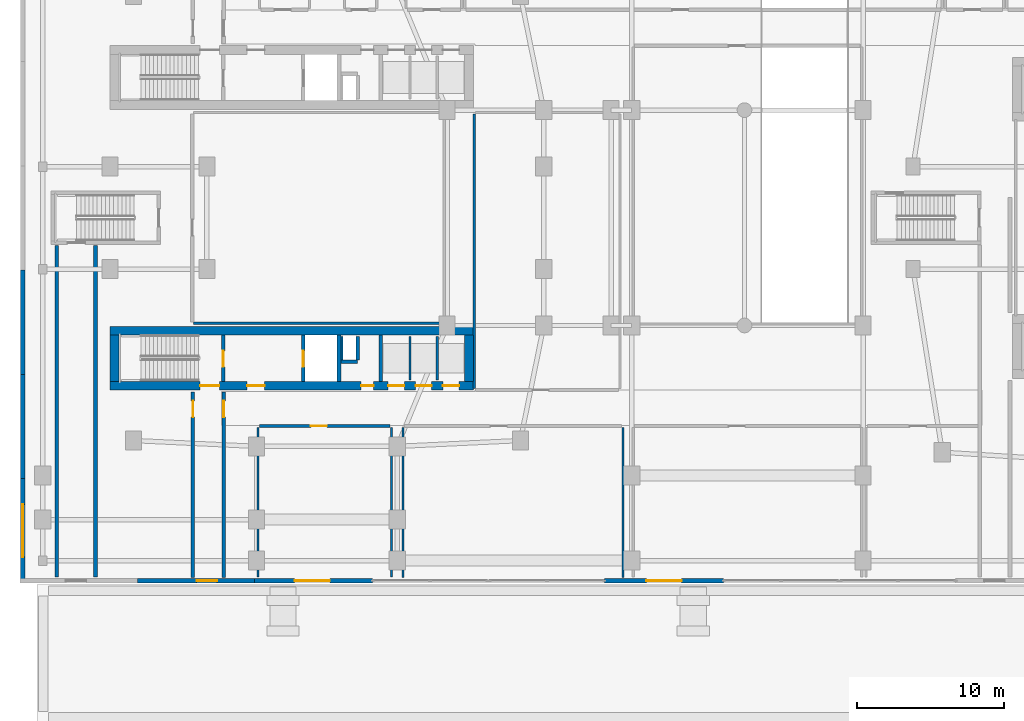
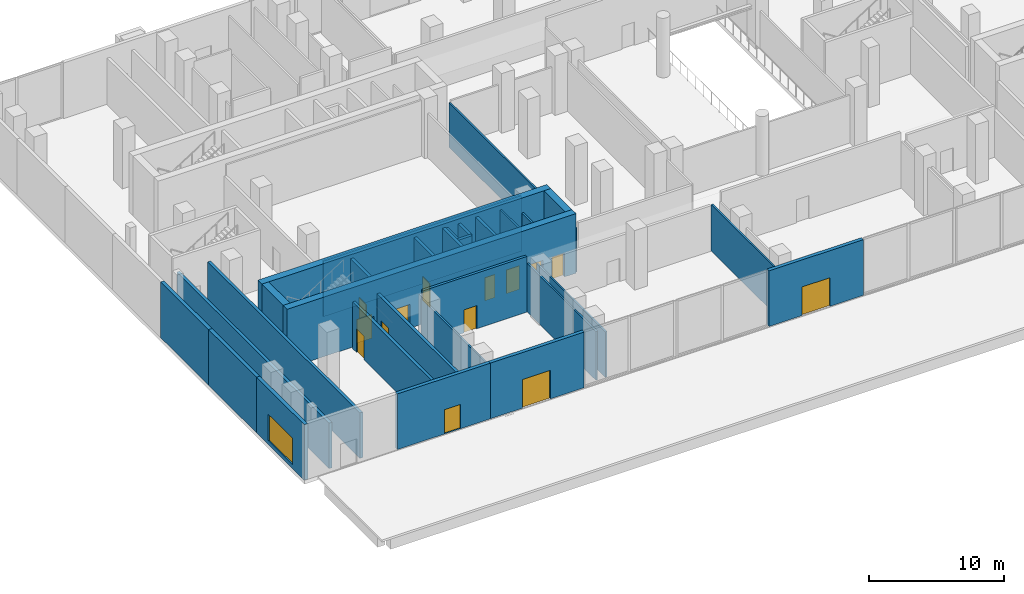
# One storey, part 12 of 24: 30 walls, 14 doors, 1 window, 15 openings.
"""IFC4 building model written with IfcOpenShell, lengths in metres."""

from ifc_helpers import new_model, si_unit, derived_unit, direction, frame, frame_2d, origin, place, context, subcontext, project, spatial, rectangle, extrude, material, layer, layer_set, type_object, element, fill, save


model = new_model("IFC4")

# Units and contexts
model_context = context("Model", 3, precision=1e-05, world=origin(), true_north=direction((0.0, 1.0)))
body_context = subcontext(model_context, "Body", "Model", "MODEL_VIEW")
ifc_project = project(units=[si_unit("LENGTHUNIT", "METRE"), si_unit("AREAUNIT", "SQUARE_METRE"), si_unit("VOLUMEUNIT", "CUBIC_METRE"), si_unit("PLANEANGLEUNIT", "RADIAN"), si_unit("MASSUNIT", "GRAM", prefix="KILO"), derived_unit("THERMALTRANSMITTANCEUNIT", [(si_unit("POWERUNIT", "WATT"), 1), (si_unit("LENGTHUNIT", "METRE"), -2), (si_unit("THERMODYNAMICTEMPERATUREUNIT", "KELVIN"), -1)])], contexts=[model_context])

# Site, building, storey
site_placement = place(None, origin())
site = spatial("IfcSite", under=ifc_project, at=site_placement, CompositionType="ELEMENT")
building_placement = place(site_placement, origin())
building = spatial("IfcBuilding", under=site, at=building_placement, Name="Kivonza Crest Hotel", CompositionType="ELEMENT")
storey_placement = place(building_placement, origin())
storey = spatial("IfcBuildingStorey", under=building, at=storey_placement, Name="L00", CompositionType="ELEMENT", Elevation=0.0)

# Wall, opening, door
ifc_material_1 = material(Name="Autoclaved aerated concrete blockwork", Category="masonry")
ifc_layer_1 = layer(ifc_material_1, 0.219970703125)
ifc_layer_set_1 = layer_set([ifc_layer_1], Name="Autoclaved aerated concrete blockwork")
wall_type_1 = type_object("IfcWallType", Name="WL-ACOU-220", PredefinedType="SOLIDWALL", material=ifc_layer_set_1)
wall_1_placement = place(storey_placement, frame((16.39990234375, 10.800048828125, 0.0), z_axis=(0.0, 0.0, 1.0), x_axis=(1.0, 0.0, 0.0)))
wall_1 = element("IfcWall", 1, at=wall_1_placement, inside=storey, type_object=wall_type_1, Name="L00 interior partition WA-L00-HTL-VEST-N", PredefinedType="SOLIDWALL", context=body_context, shape_type="SweptSolid", body=[
    extrude(rectangle(XDim=8.900146484375, YDim=0.219970703125, at=frame_2d((4.4501953125, 0.0))), origin(), (0.0, 0.0, 1.0), 5.050048828125),
])
opening_1_placement = place(wall_1_placement, frame((3.5, 0.0, 0.0)))
opening_1 = element("IfcOpeningElement", 2, at=opening_1_placement, cuts=wall_1, Name="Opening DF-60M", PredefinedType="OPENING", context=body_context, shape_type="SweptSolid", body=[
    extrude(rectangle(XDim=1.10009765625, YDim=2.10009765625, at=frame_2d((0.550048828125, 1.050048828125))), frame((0.0, 0.1201171875, 0.0), z_axis=(0.0, -1.0, 0.0), x_axis=(1.0, 0.0, 0.0)), (0.0, 0.0, 1.0), 0.239990234375),
])
ifc_material_2 = material(Name="Hardwood timber oak", Category="wood")
door_type_1 = type_object("IfcDoorType", Name="DR-FD60-1100", OperationType="NOTDEFINED", PredefinedType="DOOR", material=ifc_material_2)
door_1_placement = place(opening_1_placement, frame((1.10009765625, 0.0, 0.0), z_axis=(0.0, 0.0, 1.0), x_axis=(-1.0, 0.0, 0.0)))
door_1 = element("IfcDoor", 3, at=door_1_placement, inside=storey, type_object=door_type_1, Name="L00 Hotel South Street Entrance Foyer door", OperationType="SINGLE_SWING_LEFT", OverallHeight=2.10009765625, OverallWidth=1.10009765625, PredefinedType="DOOR", context=body_context, shape_type="SweptSolid", body=[
    extrude(rectangle(XDim=1.10009765625, YDim=2.10009765625, at=frame_2d((0.550048828125, 1.050048828125))), frame((0.0, 0.02490234375, 0.0), z_axis=(0.0, -1.0, 0.0), x_axis=(1.0, 0.0, 0.0)), (0.0, 0.0, 1.0), 0.050048828125),
])
fill(opening_1, door_1)

# Wall, openings, doors
ifc_material_3 = material(Name="Concrete C60/75", Category="concrete")
ifc_layer_2 = layer(ifc_material_3, 0.60009765625)
ifc_layer_set_2 = layer_set([ifc_layer_2], Name="Concrete C60/75")
wall_type_2 = type_object("IfcWallType", Name="WL-CORE-600", PredefinedType="SHEAR", material=ifc_layer_set_2)
wall_2_placement = place(storey_placement, frame((6.199951171875, 13.5400390625, 0.0), z_axis=(0.0, 0.0, 1.0), x_axis=(1.0, 0.0, 0.0)))
wall_2 = element("IfcWall", 4, at=wall_2_placement, inside=storey, type_object=wall_type_2, Name="Core wall T1-S South L00", PredefinedType="SHEAR", context=body_context, shape_type="SweptSolid", body=[
    extrude(rectangle(XDim=24.800048828125, YDim=0.60009765625, at=frame_2d((12.39990234375, 0.0))), origin(), (0.0, 0.0, 1.0), 5.39990234375),
])
opening_2_placement = place(wall_2_placement, frame((9.35009765625, 0.0, 0.0)))
opening_2 = element("IfcOpeningElement", 5, at=opening_2_placement, cuts=wall_2, Name="Opening DF-60", PredefinedType="OPENING", context=body_context, shape_type="SweptSolid", body=[
    extrude(rectangle(XDim=1.199951171875, YDim=2.14990234375, at=frame_2d((0.60009765625, 1.074951171875))), frame((0.0, 0.31005859375, 0.0), z_axis=(0.0, -1.0, 0.0), x_axis=(1.0, 0.0, 0.0)), (0.0, 0.0, 1.0), 0.6201171875),
])
opening_3_placement = place(wall_2_placement, frame((6.14990234375, 0.0, 0.0)))
opening_3 = element("IfcOpeningElement", 6, at=opening_3_placement, cuts=wall_2, Name="Opening DF-120D", PredefinedType="OPENING", context=body_context, shape_type="SweptSolid", body=[
    extrude(rectangle(XDim=1.300048828125, YDim=2.14990234375, at=frame_2d((0.64990234375, 1.074951171875))), frame((0.0, 0.31005859375, 0.0), z_axis=(0.0, -1.0, 0.0), x_axis=(1.0, 0.0, 0.0)), (0.0, 0.0, 1.0), 0.6201171875),
])
opening_4_placement = place(wall_2_placement, frame((17.139892578125, 0.0, 0.0)))
opening_4 = element("IfcOpeningElement", 7, at=opening_4_placement, cuts=wall_2, Name="Opening DF-60R", PredefinedType="OPENING", context=body_context, shape_type="SweptSolid", body=[
    extrude(rectangle(XDim=0.85009765625, YDim=2.10009765625, at=frame_2d((0.425048828125, 1.050048828125))), frame((0.0, 0.31005859375, 0.0), z_axis=(0.0, -1.0, 0.0), x_axis=(1.0, 0.0, 0.0)), (0.0, 0.0, 1.0), 0.6201171875),
])
opening_5_placement = place(wall_2_placement, frame((18.98291015625, 0.0, 0.0)))
opening_5 = element("IfcOpeningElement", 8, at=opening_5_placement, cuts=wall_2, Name="Opening LD-120", PredefinedType="OPENING", context=body_context, shape_type="SweptSolid", body=[
    extrude(rectangle(XDim=1.10009765625, YDim=2.14990234375, at=frame_2d((0.550048828125, 1.074951171875))), frame((0.0, 0.31005859375, 0.0), z_axis=(0.0, -1.0, 0.0), x_axis=(1.0, 0.0, 0.0)), (0.0, 0.0, 1.0), 0.6201171875),
])
opening_6_placement = place(wall_2_placement, frame((20.85009765625, 0.0, 0.0)))
opening_6 = element("IfcOpeningElement", 9, at=opening_6_placement, cuts=wall_2, Name="Opening LD-120", PredefinedType="OPENING", context=body_context, shape_type="SweptSolid", body=[
    extrude(rectangle(XDim=1.10009765625, YDim=2.14990234375, at=frame_2d((0.550048828125, 1.074951171875))), frame((0.0, 0.31005859375, 0.0), z_axis=(0.0, -1.0, 0.0), x_axis=(1.0, 0.0, 0.0)), (0.0, 0.0, 1.0), 0.6201171875),
])
opening_7_placement = place(wall_2_placement, frame((22.716064453125, 0.0, 0.0)))
opening_7 = element("IfcOpeningElement", 10, at=opening_7_placement, cuts=wall_2, Name="Opening LD-120", PredefinedType="OPENING", context=body_context, shape_type="SweptSolid", body=[
    extrude(rectangle(XDim=1.10009765625, YDim=2.14990234375, at=frame_2d((0.550048828125, 1.074951171875))), frame((0.0, 0.31005859375, 0.0), z_axis=(0.0, -1.0, 0.0), x_axis=(1.0, 0.0, 0.0)), (0.0, 0.0, 1.0), 0.6201171875),
])
ifc_material_4 = material(Name="Galvanised steel", Category="steel")
door_type_2 = type_object("IfcDoorType", Name="DR-FD120-1300", OperationType="NOTDEFINED", PredefinedType="DOOR", material=ifc_material_4)
door_2_placement = place(opening_3_placement, frame((1.300048828125, 0.0, 0.0), z_axis=(0.0, 0.0, 1.0), x_axis=(-1.0, 0.0, 0.0)))
door_2 = element("IfcDoor", 11, at=door_2_placement, inside=storey, type_object=door_type_2, Name="L00 T1-S stair exit discharge fire door", OperationType="DOUBLE_DOOR_SINGLE_SWING", OverallHeight=2.14990234375, OverallWidth=1.300048828125, PredefinedType="DOOR", context=body_context, shape_type="SweptSolid", body=[
    extrude(rectangle(XDim=1.300048828125, YDim=2.14990234375, at=frame_2d((0.64990234375, 1.074951171875))), frame((0.0, 0.02490234375, 0.0), z_axis=(0.0, -1.0, 0.0), x_axis=(1.0, 0.0, 0.0)), (0.0, 0.0, 1.0), 0.050048828125),
])
fill(opening_3, door_2)
door_type_3 = type_object("IfcDoorType", Name="DR-FD60-1200", OperationType="NOTDEFINED", PredefinedType="DOOR", material=ifc_material_2)
door_3_placement = place(opening_2_placement, frame((1.199951171875, 0.0, 0.0), z_axis=(0.0, 0.0, 1.0), x_axis=(-1.0, 0.0, 0.0)))
door_3 = element("IfcDoor", 12, at=door_3_placement, inside=storey, type_object=door_type_3, Name="L00 T1-S firefighting lobby fire door", OperationType="SINGLE_SWING_LEFT", OverallHeight=2.14990234375, OverallWidth=1.199951171875, PredefinedType="DOOR", context=body_context, shape_type="SweptSolid", body=[
    extrude(rectangle(XDim=1.199951171875, YDim=2.14990234375, at=frame_2d((0.60009765625, 1.074951171875))), frame((0.0, 0.02490234375, 0.0), z_axis=(0.0, -1.0, 0.0), x_axis=(1.0, 0.0, 0.0)), (0.0, 0.0, 1.0), 0.050048828125),
])
fill(opening_2, door_3)
door_type_4 = type_object("IfcDoorType", Name="DR-FD60-850", OperationType="NOTDEFINED", PredefinedType="DOOR", material=ifc_material_2)
door_4_placement = place(opening_4_placement, frame((0.85009765625, 0.0, 0.0), z_axis=(0.0, 0.0, 1.0), x_axis=(-1.0, 0.0, 0.0)))
door_4 = element("IfcDoor", 13, at=door_4_placement, inside=storey, type_object=door_type_4, Name="L00 T1-S core room door", OperationType="SINGLE_SWING_RIGHT", OverallHeight=2.10009765625, OverallWidth=0.85009765625, PredefinedType="DOOR", context=body_context, shape_type="SweptSolid", body=[
    extrude(rectangle(XDim=0.85009765625, YDim=2.10009765625, at=frame_2d((0.425048828125, 1.050048828125))), frame((0.0, 0.02490234375, 0.0), z_axis=(0.0, -1.0, 0.0), x_axis=(1.0, 0.0, 0.0)), (0.0, 0.0, 1.0), 0.050048828125),
])
fill(opening_4, door_4)
ifc_material_5 = material(Name="Stainless steel", Category="steel")
door_type_5 = type_object("IfcDoorType", Name="DR-LD120-1100", OperationType="NOTDEFINED", PredefinedType="DOOR", material=ifc_material_5)
door_5_placement = place(opening_5_placement, frame((1.10009765625, 0.0, 0.0), z_axis=(0.0, 0.0, 1.0), x_axis=(-1.0, 0.0, 0.0)))
door_5 = element("IfcDoor", 14, at=door_5_placement, inside=storey, type_object=door_type_5, Name="L00 PL-T1-H1 passenger lift sliding landing door", OperationType="DOUBLE_DOOR_SLIDING", OverallHeight=2.14990234375, OverallWidth=1.10009765625, PredefinedType="DOOR", context=body_context, shape_type="SweptSolid", body=[
    extrude(rectangle(XDim=1.10009765625, YDim=2.14990234375, at=frame_2d((0.550048828125, 1.074951171875))), frame((0.0, 0.02490234375, 0.0), z_axis=(0.0, -1.0, 0.0), x_axis=(1.0, 0.0, 0.0)), (0.0, 0.0, 1.0), 0.050048828125),
])
fill(opening_5, door_5)
door_6_placement = place(opening_6_placement, frame((1.10009765625, 0.0, 0.0), z_axis=(0.0, 0.0, 1.0), x_axis=(-1.0, 0.0, 0.0)))
door_6 = element("IfcDoor", 15, at=door_6_placement, inside=storey, type_object=door_type_5, Name="L00 PL-T1-H2 passenger lift sliding landing door", OperationType="DOUBLE_DOOR_SLIDING", OverallHeight=2.14990234375, OverallWidth=1.10009765625, PredefinedType="DOOR", context=body_context, shape_type="SweptSolid", body=[
    extrude(rectangle(XDim=1.10009765625, YDim=2.14990234375, at=frame_2d((0.550048828125, 1.074951171875))), frame((0.0, 0.02490234375, 0.0), z_axis=(0.0, -1.0, 0.0), x_axis=(1.0, 0.0, 0.0)), (0.0, 0.0, 1.0), 0.050048828125),
])
fill(opening_6, door_6)
door_7_placement = place(opening_7_placement, frame((1.10009765625, 0.0, 0.0), z_axis=(0.0, 0.0, 1.0), x_axis=(-1.0, 0.0, 0.0)))
door_7 = element("IfcDoor", 16, at=door_7_placement, inside=storey, type_object=door_type_5, Name="L00 PL-T1-H3 passenger lift sliding landing door", OperationType="DOUBLE_DOOR_SLIDING", OverallHeight=2.14990234375, OverallWidth=1.10009765625, PredefinedType="DOOR", context=body_context, shape_type="SweptSolid", body=[
    extrude(rectangle(XDim=1.10009765625, YDim=2.14990234375, at=frame_2d((0.550048828125, 1.074951171875))), frame((0.0, 0.02490234375, 0.0), z_axis=(0.0, -1.0, 0.0), x_axis=(1.0, 0.0, 0.0)), (0.0, 0.0, 1.0), 0.050048828125),
])
fill(opening_7, door_7)

# Walls
wall_3_placement = place(storey_placement, frame((6.199951171875, 17.300048828125, 0.0), z_axis=(0.0, 0.0, 1.0), x_axis=(1.0, 0.0, 0.0)))
element("IfcWall", 17, at=wall_3_placement, inside=storey, type_object=wall_type_2, Name="Core wall T1-S North L00", PredefinedType="SHEAR", context=body_context, shape_type="SweptSolid", body=[
    extrude(rectangle(XDim=24.800048828125, YDim=0.60009765625, at=frame_2d((12.39990234375, 0.0))), origin(), (0.0, 0.0, 1.0), 5.39990234375),
])
for number, where, z_axis, x_axis, name in (
    (18, (6.5, 13.840087890625, 0.0), (0.0, 0.0, 1.0), (0.0, 1.0, 0.0), "Core wall T1-S West L00"),
    (19, (30.699951171875, 13.840087890625, 0.0), (0.0, 0.0, 1.0), (0.0, 1.0, 0.0), "Core wall T1-S East L00"),
):
    element("IfcWall", number, at=place(storey_placement, frame(where, z_axis=z_axis, x_axis=x_axis)), inside=storey, type_object=wall_type_2, Name=name, PredefinedType="SHEAR", context=body_context, shape_type="SweptSolid", body=[
        extrude(rectangle(XDim=3.159912109375, YDim=0.60009765625, at=frame_2d((1.580078125, 0.0))), origin(), (0.0, 0.0, 1.0), 5.39990234375),
    ])

# Wall, opening, door
ifc_material_6 = material(Name="Precast concrete C40/50", Category="concrete")
ifc_layer_3 = layer(ifc_material_6, 0.300048828125)
ifc_layer_set_3 = layer_set([ifc_layer_3], Name="Precast concrete C40/50")
wall_type_3 = type_object("IfcWallType", Name="WL-EXT-300", PredefinedType="STANDARD", material=ifc_layer_set_3)
wall_4_placement = place(storey_placement, frame((8.05908203125, 0.22998046875, 0.0), z_axis=(0.0, 0.0, 1.0), x_axis=(1.0, 0.0, 0.0)))
wall_4 = element("IfcWall", 20, at=wall_4_placement, inside=storey, type_object=wall_type_3, Name="L00 POD exterior insulated wall 2", PredefinedType="STANDARD", context=body_context, shape_type="SweptSolid", body=[
    extrude(rectangle(XDim=8.001953125, YDim=0.300048828125, at=frame_2d((4.0009765625, 0.0))), origin(), (0.0, 0.0, 1.0), 5.050048828125),
])
opening_8_placement = place(wall_4_placement, frame((4.041015625, 0.0, 0.0)))
opening_8 = element("IfcOpeningElement", 21, at=opening_8_placement, cuts=wall_4, Name="Opening DF-120E", PredefinedType="OPENING", context=body_context, shape_type="SweptSolid", body=[
    extrude(rectangle(XDim=1.39990234375, YDim=2.199951171875, at=frame_2d((0.699951171875, 1.10009765625))), frame((0.0, 0.16015625, 0.0), z_axis=(0.0, -1.0, 0.0), x_axis=(1.0, 0.0, 0.0)), (0.0, 0.0, 1.0), 0.320068359375),
])
ifc_material_7 = material(Name="Anodised bronze aluminium and laminated safety glass", Category="aluminium")
door_type_6 = type_object("IfcDoorType", Name="DR-EXT-EXIT-1400", OperationType="NOTDEFINED", PredefinedType="DOOR", material=ifc_material_7)
door_8_placement = place(opening_8_placement, frame((1.39990234375, 0.0, 0.0), z_axis=(0.0, 0.0, 1.0), x_axis=(-1.0, 0.0, 0.0)))
door_8 = element("IfcDoor", 22, at=door_8_placement, inside=storey, type_object=door_type_6, Name="L00 T1 South Protected Exit Passage final exit door", OperationType="DOUBLE_DOOR_SINGLE_SWING", OverallHeight=2.199951171875, OverallWidth=1.39990234375, PredefinedType="DOOR", context=body_context, shape_type="SweptSolid", body=[
    extrude(rectangle(XDim=1.39990234375, YDim=2.199951171875, at=frame_2d((0.699951171875, 1.10009765625))), frame((0.0, 0.02490234375, 0.0), z_axis=(0.0, -1.0, 0.0), x_axis=(1.0, 0.0, 0.0)), (0.0, 0.0, 1.0), 0.050048828125),
])
fill(opening_8, door_8)

wall_5_placement = place(storey_placement, frame((16.044921875, 0.22998046875, 0.0), z_axis=(0.0, 0.0, 1.0), x_axis=(1.0, 0.0, 0.0)))
wall_5 = element("IfcWall", 23, at=wall_5_placement, inside=storey, type_object=wall_type_3, Name="L00 POD exterior insulated wall 3", PredefinedType="STANDARD", context=body_context, shape_type="SweptSolid", body=[
    extrude(rectangle(XDim=8.050048828125, YDim=0.300048828125, at=frame_2d((4.02490234375, 0.0))), origin(), (0.0, 0.0, 1.0), 5.050048828125),
])
opening_9_placement = place(wall_5_placement, frame((2.7548828125, 0.0, 0.0)))
opening_9 = element("IfcOpeningElement", 24, at=opening_9_placement, cuts=wall_5, Name="Opening DE-240", PredefinedType="OPENING", context=body_context, shape_type="SweptSolid", body=[
    extrude(rectangle(XDim=2.39990234375, YDim=2.60009765625, at=frame_2d((1.199951171875, 1.300048828125))), frame((0.0, 0.16015625, 0.0), z_axis=(0.0, -1.0, 0.0), x_axis=(1.0, 0.0, 0.0)), (0.0, 0.0, 1.0), 0.320068359375),
])
door_type_7 = type_object("IfcDoorType", Name="DR-ENT-2400", OperationType="NOTDEFINED", PredefinedType="DOOR", material=ifc_material_7)
door_9_placement = place(opening_9_placement, frame((2.39990234375, 0.0, 0.0), z_axis=(0.0, 0.0, 1.0), x_axis=(-1.0, 0.0, 0.0)))
door_9 = element("IfcDoor", 25, at=door_9_placement, inside=storey, type_object=door_type_7, Name="L00 Hotel main street entrance doors", OperationType="DOUBLE_DOOR_SINGLE_SWING", OverallHeight=2.60009765625, OverallWidth=2.39990234375, PredefinedType="DOOR", context=body_context, shape_type="SweptSolid", body=[
    extrude(rectangle(XDim=2.39990234375, YDim=2.60009765625, at=frame_2d((1.199951171875, 1.300048828125))), frame((0.0, 0.02490234375, 0.0), z_axis=(0.0, -1.0, 0.0), x_axis=(1.0, 0.0, 0.0)), (0.0, 0.0, 1.0), 0.050048828125),
])
fill(opening_9, door_9)

wall_6_placement = place(storey_placement, frame((39.9580078125, 0.22998046875, 0.0), z_axis=(0.0, 0.0, 1.0), x_axis=(1.0, 0.0, 0.0)))
wall_6 = element("IfcWall", 26, at=wall_6_placement, inside=storey, type_object=wall_type_3, Name="L00 POD exterior insulated wall 6", PredefinedType="STANDARD", context=body_context, shape_type="SweptSolid", body=[
    extrude(rectangle(XDim=8.096923828125, YDim=0.300048828125, at=frame_2d((4.04833984375, 0.0))), origin(), (0.0, 0.0, 1.0), 5.050048828125),
])
opening_10_placement = place(wall_6_placement, frame((2.842041015625, 0.0, 0.0)))
opening_10 = element("IfcOpeningElement", 27, at=opening_10_placement, cuts=wall_6, Name="Opening DE-240", PredefinedType="OPENING", context=body_context, shape_type="SweptSolid", body=[
    extrude(rectangle(XDim=2.39990234375, YDim=2.60009765625, at=frame_2d((1.199951171875, 1.300048828125))), frame((0.0, 0.16015625, 0.0), z_axis=(0.0, -1.0, 0.0), x_axis=(1.0, 0.0, 0.0)), (0.0, 0.0, 1.0), 0.320068359375),
])
door_10_placement = place(opening_10_placement, frame((2.39990234375, 0.0, 0.0), z_axis=(0.0, 0.0, 1.0), x_axis=(-1.0, 0.0, 0.0)))
door_10 = element("IfcDoor", 28, at=door_10_placement, inside=storey, type_object=door_type_7, Name="L00 Podium retail concourse street entrance doors", OperationType="DOUBLE_DOOR_SINGLE_SWING", OverallHeight=2.60009765625, OverallWidth=2.39990234375, PredefinedType="DOOR", context=body_context, shape_type="SweptSolid", body=[
    extrude(rectangle(XDim=2.39990234375, YDim=2.60009765625, at=frame_2d((1.199951171875, 1.300048828125))), frame((0.0, 0.02490234375, 0.0), z_axis=(0.0, -1.0, 0.0), x_axis=(1.0, 0.0, 0.0)), (0.0, 0.0, 1.0), 0.050048828125),
])
fill(opening_10, door_10)

# Walls
for number, where, z_axis, x_axis, name in (
    (29, (0.22998046875, 21.447998046875, 0.0), (0.0, 0.0, 1.0), (0.0, -1.0, 0.0), "L00 POD exterior insulated wall 36"),
    (30, (0.22998046875, 14.327880859375, 0.0), (0.0, 0.0, 1.0), (0.0, -1.0, 0.0), "L00 POD exterior insulated wall 37"),
):
    element("IfcWall", number, at=place(storey_placement, frame(where, z_axis=z_axis, x_axis=x_axis)), inside=storey, type_object=wall_type_3, Name=name, PredefinedType="STANDARD", context=body_context, shape_type="SweptSolid", body=[
        extrude(rectangle(XDim=7.135986328125, YDim=0.300048828125, at=frame_2d((3.56787109375, 0.0))), origin(), (0.0, 0.0, 1.0), 5.050048828125),
    ])

# Wall, opening, window
wall_7_placement = place(storey_placement, frame((0.22998046875, 7.2080078125, 0.0), z_axis=(0.0, 0.0, 1.0), x_axis=(0.0, -1.0, 0.0)))
wall_7 = element("IfcWall", 31, at=wall_7_placement, inside=storey, type_object=wall_type_3, Name="L00 POD exterior insulated wall 38", PredefinedType="STANDARD", context=body_context, shape_type="SweptSolid", body=[
    extrude(rectangle(XDim=7.117919921875, YDim=0.300048828125, at=frame_2d((3.55908203125, 0.0))), origin(), (0.0, 0.0, 1.0), 5.050048828125),
])
opening_11_placement = place(wall_7_placement, frame((1.759033203125, 0.0, 0.35009765625)))
opening_11 = element("IfcOpeningElement", 32, at=opening_11_placement, cuts=wall_7, Name="Opening WN-10", PredefinedType="OPENING", context=body_context, shape_type="SweptSolid", body=[
    extrude(rectangle(XDim=3.60009765625, YDim=2.39990234375, at=frame_2d((1.800048828125, 1.199951171875))), frame((0.0, 0.16015625, 0.0), z_axis=(0.0, -1.0, 0.0), x_axis=(1.0, 0.0, 0.0)), (0.0, 0.0, 1.0), 0.320068359375),
])
ifc_material_8 = material(Name="Thermally broken bronze aluminium and low-E double glazing", Category="aluminium")
window_type = type_object("IfcWindowType", Name="WN-360x240", PartitioningType="TRIPLE_PANEL_VERTICAL", PredefinedType="WINDOW", material=ifc_material_8)
window_placement = place(opening_11_placement, origin())
window = element("IfcWindow", 33, at=window_placement, inside=storey, type_object=window_type, Name="L00 retail showcase window", OverallHeight=2.39990234375, OverallWidth=3.60009765625, PartitioningType="SINGLE_PANEL", PredefinedType="WINDOW", context=body_context, shape_type="SweptSolid", body=[
    extrude(rectangle(XDim=3.60009765625, YDim=2.39990234375, at=frame_2d((1.800048828125, 1.199951171875))), frame((0.0, 0.030029296875, 0.0), z_axis=(0.0, -1.0, 0.0), x_axis=(1.0, 0.0, 0.0)), (0.0, 0.0, 1.0), 0.06005859375),
])
fill(opening_11, window)

# Walls
ifc_material_9 = material(Name="Concrete blockwork fire-compartment wall", Category="masonry")
ifc_layer_4 = layer(ifc_material_9, 0.25)
ifc_layer_set_4 = layer_set([ifc_layer_4], Name="Concrete blockwork fire-compartment wall")
wall_type_4 = type_object("IfcWallType", Name="WL-FIRE-250", PredefinedType="SOLIDWALL", material=ifc_layer_set_4)
wall_8_placement = place(storey_placement, frame((23.10009765625, 15.280029296875, 0.0), z_axis=(0.0, 0.0, 1.0), x_axis=(0.0, 1.0, 0.0)))
element("IfcWall", 34, at=wall_8_placement, inside=storey, type_object=wall_type_4, Name="L00 interior partition WA-L00-T1-S-MEPR-E", PredefinedType="SOLIDWALL", context=body_context, shape_type="SweptSolid", body=[
    extrude(rectangle(XDim=1.619873046875, YDim=0.25, at=frame_2d((0.81005859375, 0.0))), origin(), (0.0, 0.0, 1.0), 5.050048828125),
])
wall_9_placement = place(storey_placement, frame((21.949951171875, 15.179931640625, 0.0), z_axis=(0.0, 0.0, 1.0), x_axis=(1.0, 0.0, 0.0)))
element("IfcWall", 35, at=wall_9_placement, inside=storey, type_object=wall_type_4, Name="L00 interior partition WA-L00-T1-S-MEPR-H", PredefinedType="SOLIDWALL", context=body_context, shape_type="SweptSolid", body=[
    extrude(rectangle(XDim=1.150146484375, YDim=0.25, at=frame_2d((0.5751953125, 0.0))), origin(), (0.0, 0.0, 1.0), 5.050048828125),
])

# Wall, opening, door
wall_10_placement = place(storey_placement, frame((11.85009765625, 0.449951171875, 0.0), z_axis=(0.0, 0.0, 1.0), x_axis=(0.0, 1.0, 0.0)))
wall_10 = element("IfcWall", 36, at=wall_10_placement, inside=storey, type_object=wall_type_4, Name="L00 interior partition WA-L00-EX-T1S-W", PredefinedType="SOLIDWALL", context=body_context, shape_type="SweptSolid", body=[
    extrude(rectangle(XDim=12.650146484375, YDim=0.25, at=frame_2d((6.3251953125, 0.0))), origin(), (0.0, 0.0, 1.0), 4.22509765625),
])
opening_12_placement = place(wall_10_placement, frame((10.949951171875, 0.0, 0.0)))
opening_12 = element("IfcOpeningElement", 37, at=opening_12_placement, cuts=wall_10, Name="Opening DF-120", PredefinedType="OPENING", context=body_context, shape_type="SweptSolid", body=[
    extrude(rectangle(XDim=1.10009765625, YDim=2.14990234375, at=frame_2d((0.550048828125, 1.074951171875))), frame((0.0, 0.135009765625, 0.0), z_axis=(0.0, -1.0, 0.0), x_axis=(1.0, 0.0, 0.0)), (0.0, 0.0, 1.0), 0.27001953125),
])
door_type_8 = type_object("IfcDoorType", Name="DR-FD120-1100", OperationType="NOTDEFINED", PredefinedType="DOOR", material=ifc_material_4)
door_11_placement = place(opening_12_placement, frame((1.10009765625, 0.0, 0.0), z_axis=(0.0, 0.0, 1.0), x_axis=(-1.0, 0.0, 0.0)))
door_11 = element("IfcDoor", 38, at=door_11_placement, inside=storey, type_object=door_type_8, Name="L00 T1 South Protected Exit Passage west lobby door", OperationType="SINGLE_SWING_LEFT", OverallHeight=2.14990234375, OverallWidth=1.10009765625, PredefinedType="DOOR", context=body_context, shape_type="SweptSolid", body=[
    extrude(rectangle(XDim=1.10009765625, YDim=2.14990234375, at=frame_2d((0.550048828125, 1.074951171875))), frame((0.0, 0.02490234375, 0.0), z_axis=(0.0, -1.0, 0.0), x_axis=(1.0, 0.0, 0.0)), (0.0, 0.0, 1.0), 0.050048828125),
])
fill(opening_12, door_11)

wall_11_placement = place(storey_placement, frame((13.949951171875, 0.449951171875, 0.0), z_axis=(0.0, 0.0, 1.0), x_axis=(0.0, 1.0, 0.0)))
wall_11 = element("IfcWall", 39, at=wall_11_placement, inside=storey, type_object=wall_type_4, Name="L00 interior partition WA-L00-EX-T1S-E", PredefinedType="SOLIDWALL", context=body_context, shape_type="SweptSolid", body=[
    extrude(rectangle(XDim=12.650146484375, YDim=0.25, at=frame_2d((6.3251953125, 0.0))), origin(), (0.0, 0.0, 1.0), 4.22509765625),
])
opening_13_placement = place(wall_11_placement, frame((10.949951171875, 0.0, 0.0)))
opening_13 = element("IfcOpeningElement", 40, at=opening_13_placement, cuts=wall_11, Name="Opening DF-120", PredefinedType="OPENING", context=body_context, shape_type="SweptSolid", body=[
    extrude(rectangle(XDim=1.10009765625, YDim=2.14990234375, at=frame_2d((0.550048828125, 1.074951171875))), frame((0.0, 0.135009765625, 0.0), z_axis=(0.0, -1.0, 0.0), x_axis=(1.0, 0.0, 0.0)), (0.0, 0.0, 1.0), 0.27001953125),
])
door_12_placement = place(opening_13_placement, origin())
door_12 = element("IfcDoor", 41, at=door_12_placement, inside=storey, type_object=door_type_8, Name="L00 T1 South Protected Exit Passage east lobby door", OperationType="SINGLE_SWING_RIGHT", OverallHeight=2.14990234375, OverallWidth=1.10009765625, PredefinedType="DOOR", context=body_context, shape_type="SweptSolid", body=[
    extrude(rectangle(XDim=1.10009765625, YDim=2.14990234375, at=frame_2d((0.550048828125, 1.074951171875))), frame((0.0, 0.02490234375, 0.0), z_axis=(0.0, -1.0, 0.0), x_axis=(1.0, 0.0, 0.0)), (0.0, 0.0, 1.0), 0.050048828125),
])
fill(opening_13, door_12)

# Walls
for number, where, z_axis, x_axis, name in (
    (42, (2.550048828125, 0.47998046875, 0.0), (0.0, 0.0, 1.0), (0.0, 1.0, 0.0), "L00 interior partition WA-L00-PODW-EX-W"),
    (43, (5.199951171875, 0.47998046875, 0.0), (0.0, 0.0, 1.0), (0.0, 1.0, 0.0), "L00 interior partition WA-L00-PODW-EX-E"),
):
    element("IfcWall", number, at=place(storey_placement, frame(where, z_axis=z_axis, x_axis=x_axis)), inside=storey, type_object=wall_type_4, Name=name, PredefinedType="SOLIDWALL", context=body_context, shape_type="SweptSolid", body=[
        extrude(rectangle(XDim=22.6201171875, YDim=0.25, at=frame_2d((11.31005859375, 0.0))), origin(), (0.0, 0.0, 1.0), 4.125),
    ])
ifc_material_10 = material(Name="Twin-stud acoustic gypsum board partition", Category="gypsum")
ifc_layer_5 = layer(ifc_material_10, 0.14990234375)
ifc_layer_set_5 = layer_set([ifc_layer_5], Name="Twin-stud acoustic gypsum board partition")
wall_type_5 = type_object("IfcWallType", Name="WL-PART-150", PredefinedType="PARTITIONING", material=ifc_layer_set_5)
wall_12_placement = place(storey_placement, frame((22.030029296875, 15.280029296875, 0.0), z_axis=(0.0, 0.0, 1.0), x_axis=(0.0, 1.0, 0.0)))
element("IfcWall", 44, at=wall_12_placement, inside=storey, type_object=wall_type_5, Name="L00 interior partition WA-L00-T1-S-MEPR-W", PredefinedType="PARTITIONING", context=body_context, shape_type="SweptSolid", body=[
    extrude(rectangle(XDim=1.619873046875, YDim=0.14990234375, at=frame_2d((0.81005859375, 0.0))), origin(), (0.0, 0.0, 1.0), 5.050048828125),
])
wall_13_placement = place(storey_placement, frame((26.6669921875, 13.93994140625, 0.0), z_axis=(0.0, 0.0, 1.0), x_axis=(0.0, 1.0, 0.0)))
element("IfcWall", 45, at=wall_13_placement, inside=storey, type_object=wall_type_5, Name="L00 interior partition WP-L00-T1-S-BSH-1", PredefinedType="PARTITIONING", context=body_context, shape_type="SweptSolid", body=[
    extrude(rectangle(XDim=2.9599609375, YDim=0.14990234375, at=frame_2d((1.47998046875, 0.0))), origin(), (0.0, 0.0, 1.0), 5.050048828125),
])
wall_14_placement = place(storey_placement, frame((28.532958984375, 13.93994140625, 0.0), z_axis=(0.0, 0.0, 1.0), x_axis=(0.0, 1.0, 0.0)))
element("IfcWall", 46, at=wall_14_placement, inside=storey, type_object=wall_type_5, Name="L00 interior partition WP-L00-T1-S-BSH-2", PredefinedType="PARTITIONING", context=body_context, shape_type="SweptSolid", body=[
    extrude(rectangle(XDim=2.9599609375, YDim=0.14990234375, at=frame_2d((1.47998046875, 0.0))), origin(), (0.0, 0.0, 1.0), 4.125),
])
wall_15_placement = place(storey_placement, frame((11.89990234375, 17.800048828125, 0.0), z_axis=(0.0, 0.0, 1.0), x_axis=(1.0, 0.0, 0.0)))
element("IfcWall", 47, at=wall_15_placement, inside=storey, type_object=wall_type_5, Name="L00 interior partition WP-L00-HTL-LOB-BS", PredefinedType="PARTITIONING", context=body_context, shape_type="SweptSolid", body=[
    extrude(rectangle(XDim=17.0, YDim=0.14990234375, at=frame_2d((8.5, 0.0))), origin(), (0.0, 0.0, 1.0), 5.050048828125),
])
wall_16_placement = place(storey_placement, frame((31.050048828125, 13.35009765625, 0.0), z_axis=(0.0, 0.0, 1.0), x_axis=(0.0, 1.0, 0.0)))
element("IfcWall", 48, at=wall_16_placement, inside=storey, type_object=wall_type_5, Name="L00 interior partition WP-L00-HTL-LNG-BW", PredefinedType="PARTITIONING", context=body_context, shape_type="SweptSolid", body=[
    extrude(rectangle(XDim=18.75, YDim=0.14990234375, at=frame_2d((9.375, 0.0))), origin(), (0.0, 0.0, 1.0), 4.02490234375),
])
for number, where, z_axis, x_axis, name in (
    (49, (16.300048828125, 0.47998046875, 0.0), (0.0, 0.0, 1.0), (0.0, 1.0, 0.0), "L00 interior partition WP-L00-HTL-VEST-BW"),
    (50, (25.39990234375, 0.47998046875, 0.0), (0.0, 0.0, 1.0), (0.0, 1.0, 0.0), "L00 interior partition WP-L00-HTL-VEST-BE"),
):
    element("IfcWall", number, at=place(storey_placement, frame(where, z_axis=z_axis, x_axis=x_axis)), inside=storey, type_object=wall_type_5, Name=name, PredefinedType="PARTITIONING", context=body_context, shape_type="SweptSolid", body=[
        extrude(rectangle(XDim=10.219970703125, YDim=0.14990234375, at=frame_2d((5.10986328125, 0.0))), origin(), (0.0, 0.0, 1.0), 4.425048828125),
    ])
wall_17_placement = place(storey_placement, frame((26.199951171875, 0.449951171875, 0.0), z_axis=(0.0, 0.0, 1.0), x_axis=(0.0, 1.0, 0.0)))
element("IfcWall", 51, at=wall_17_placement, inside=storey, type_object=wall_type_5, Name="L00 interior partition WP-L00-SHP-M-BW", PredefinedType="PARTITIONING", context=body_context, shape_type="SweptSolid", body=[
    extrude(rectangle(XDim=10.25, YDim=0.14990234375, at=frame_2d((5.125, 0.0))), origin(), (0.0, 0.0, 1.0), 4.125),
])
wall_18_placement = place(storey_placement, frame((41.199951171875, 0.449951171875, 0.0), z_axis=(0.0, 0.0, 1.0), x_axis=(0.0, 1.0, 0.0)))
element("IfcWall", 52, at=wall_18_placement, inside=storey, type_object=wall_type_5, Name="L00 interior partition WP-L00-SHP-M-BE", PredefinedType="PARTITIONING", context=body_context, shape_type="SweptSolid", body=[
    extrude(rectangle(XDim=10.25, YDim=0.14990234375, at=frame_2d((5.125, 0.0))), origin(), (0.0, 0.0, 1.0), 4.22509765625),
])

# Wall, opening, door
ifc_material_11 = material(Name="Concrete C50/60", Category="concrete")
ifc_layer_6 = layer(ifc_material_11, 0.25)
ifc_layer_set_6 = layer_set([ifc_layer_6], Name="Concrete C50/60")
wall_type_6 = type_object("IfcWallType", Name="WL-SHAFT-250", PredefinedType="STANDARD", material=ifc_layer_set_6)
wall_19_placement = place(storey_placement, frame((13.925048828125, 13.840087890625, 0.0), z_axis=(0.0, 0.0, 1.0), x_axis=(0.0, 1.0, 0.0)))
wall_19 = element("IfcWall", 53, at=wall_19_placement, inside=storey, type_object=wall_type_6, Name="Core shaft wall T1-S STAIR L00", PredefinedType="STANDARD", context=body_context, shape_type="SweptSolid", body=[
    extrude(rectangle(XDim=3.159912109375, YDim=0.25, at=frame_2d((1.580078125, 0.0))), origin(), (0.0, 0.0, 1.0), 5.050048828125),
])
opening_14_placement = place(wall_19_placement, frame((0.97998046875, 0.0, 0.0)))
opening_14 = element("IfcOpeningElement", 54, at=opening_14_placement, cuts=wall_19, Name="Opening DF-120", PredefinedType="OPENING", context=body_context, shape_type="SweptSolid", body=[
    extrude(rectangle(XDim=1.10009765625, YDim=2.14990234375, at=frame_2d((0.550048828125, 1.074951171875))), frame((0.0, 0.135009765625, 0.0), z_axis=(0.0, -1.0, 0.0), x_axis=(1.0, 0.0, 0.0)), (0.0, 0.0, 1.0), 0.27001953125),
])
door_13_placement = place(opening_14_placement, frame((1.10009765625, 0.0, 0.0), z_axis=(0.0, 0.0, 1.0), x_axis=(-1.0, 0.0, 0.0)))
door_13 = element("IfcDoor", 55, at=door_13_placement, inside=storey, type_object=door_type_8, Name="L00 T1-S stair fire door", OperationType="SINGLE_SWING_RIGHT", OverallHeight=2.14990234375, OverallWidth=1.10009765625, PredefinedType="DOOR", context=body_context, shape_type="SweptSolid", body=[
    extrude(rectangle(XDim=1.10009765625, YDim=2.14990234375, at=frame_2d((0.550048828125, 1.074951171875))), frame((0.0, 0.02490234375, 0.0), z_axis=(0.0, -1.0, 0.0), x_axis=(1.0, 0.0, 0.0)), (0.0, 0.0, 1.0), 0.050048828125),
])
fill(opening_14, door_13)

wall_20_placement = place(storey_placement, frame((19.375, 13.840087890625, 0.0), z_axis=(0.0, 0.0, 1.0), x_axis=(0.0, 1.0, 0.0)))
wall_20 = element("IfcWall", 56, at=wall_20_placement, inside=storey, type_object=wall_type_6, Name="Core shaft wall T1-S FFL-W L00", PredefinedType="STANDARD", context=body_context, shape_type="SweptSolid", body=[
    extrude(rectangle(XDim=3.159912109375, YDim=0.25, at=frame_2d((1.580078125, 0.0))), origin(), (0.0, 0.0, 1.0), 5.050048828125),
])
opening_15_placement = place(wall_20_placement, frame((0.97998046875, 0.0, 0.0)))
opening_15 = element("IfcOpeningElement", 57, at=opening_15_placement, cuts=wall_20, Name="Opening LD-120", PredefinedType="OPENING", context=body_context, shape_type="SweptSolid", body=[
    extrude(rectangle(XDim=1.10009765625, YDim=2.14990234375, at=frame_2d((0.550048828125, 1.074951171875))), frame((0.0, 0.135009765625, 0.0), z_axis=(0.0, -1.0, 0.0), x_axis=(1.0, 0.0, 0.0)), (0.0, 0.0, 1.0), 0.27001953125),
])
door_14_placement = place(opening_15_placement, origin())
door_14 = element("IfcDoor", 58, at=door_14_placement, inside=storey, type_object=door_type_5, Name="L00 FFL-T1-S firefighting lift sliding landing door", OperationType="DOUBLE_DOOR_SLIDING", OverallHeight=2.14990234375, OverallWidth=1.10009765625, PredefinedType="DOOR", context=body_context, shape_type="SweptSolid", body=[
    extrude(rectangle(XDim=1.10009765625, YDim=2.14990234375, at=frame_2d((0.550048828125, 1.074951171875))), frame((0.0, 0.02490234375, 0.0), z_axis=(0.0, -1.0, 0.0), x_axis=(1.0, 0.0, 0.0)), (0.0, 0.0, 1.0), 0.050048828125),
])
fill(opening_15, door_14)

# Walls
for number, where, z_axis, x_axis, name in (
    (59, (21.824951171875, 13.840087890625, 0.0), (0.0, 0.0, 1.0), (0.0, 1.0, 0.0), "Core shaft wall T1-S FFL-E L00"),
    (60, (24.675048828125, 13.840087890625, 0.0), (0.0, 0.0, 1.0), (0.0, 1.0, 0.0), "Core shaft wall T1-S BANK-W L00"),
):
    element("IfcWall", number, at=place(storey_placement, frame(where, z_axis=z_axis, x_axis=x_axis)), inside=storey, type_object=wall_type_6, Name=name, PredefinedType="STANDARD", context=body_context, shape_type="SweptSolid", body=[
        extrude(rectangle(XDim=3.159912109375, YDim=0.25, at=frame_2d((1.580078125, 0.0))), origin(), (0.0, 0.0, 1.0), 5.050048828125),
    ])

save(model, "model.ifc")
